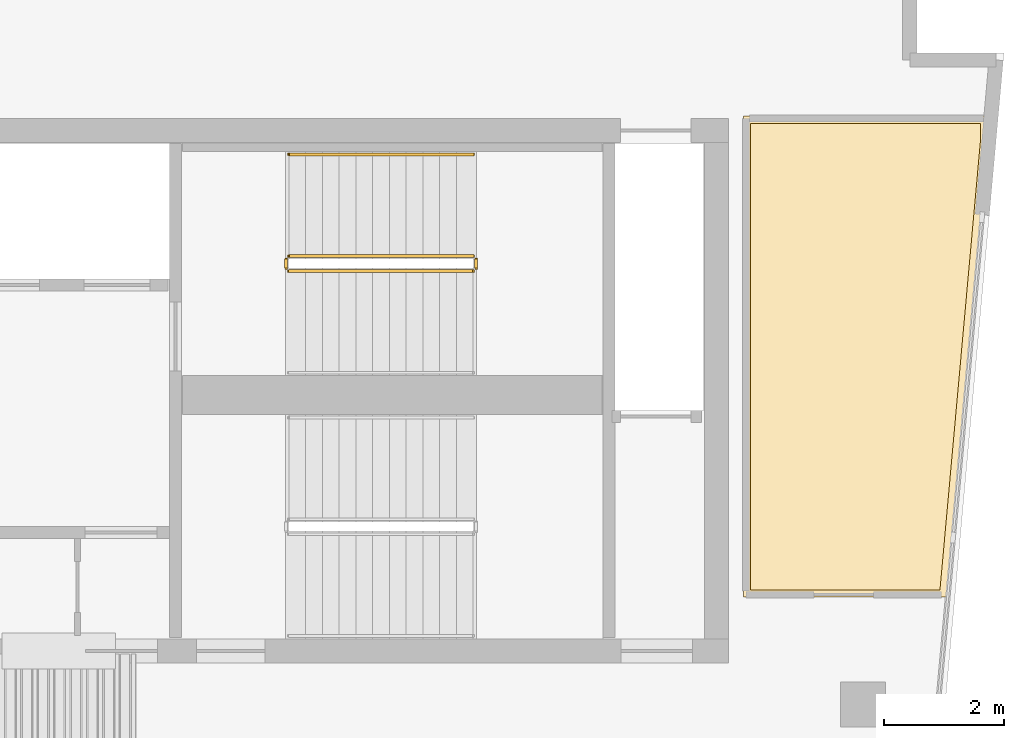
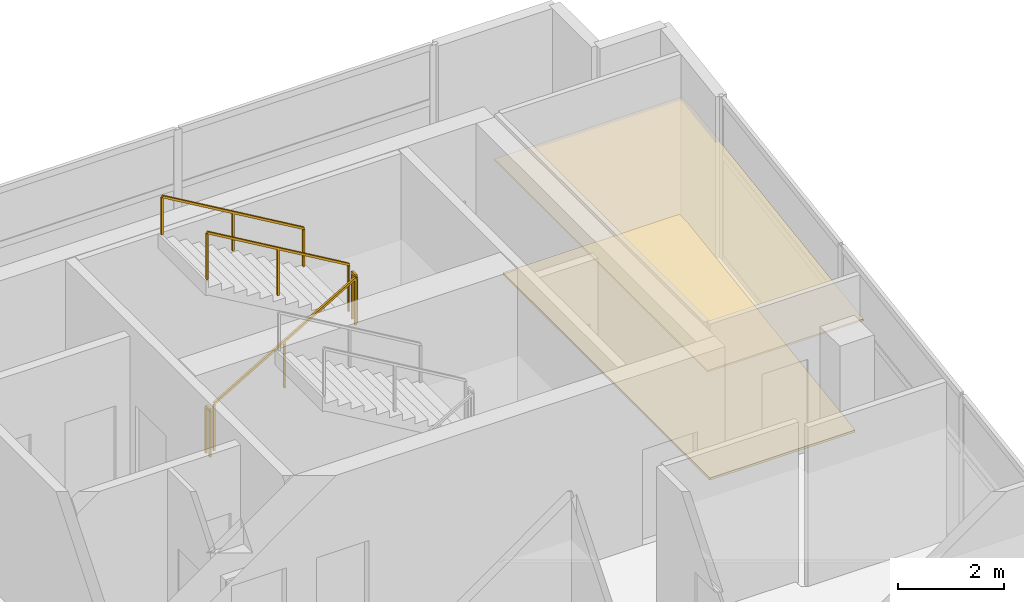
# One storey, part 7 of 7: 5 railings, 2 coverings.
"""IFC4 building model written with IfcOpenShell, lengths in metres."""

from ifc_helpers import new_model, si_unit, direction, frame, origin, origin_2d, place, context, subcontext, project, spatial, polyline, rectangle, outline, extrude, material, layer, layer_set, type_object, element, save


model = new_model("IFC4")

# Units and contexts
model_context = context("Model", 3, precision=1e-05, world=origin(), true_north=direction((0.0, 1.0)))
body_context = subcontext(model_context, "Body", "Model", "MODEL_VIEW")
ifc_project = project(units=[si_unit("LENGTHUNIT", "METRE"), si_unit("AREAUNIT", "SQUARE_METRE"), si_unit("VOLUMEUNIT", "CUBIC_METRE"), si_unit("PLANEANGLEUNIT", "RADIAN"), si_unit("MASSUNIT", "GRAM", prefix="KILO")], contexts=[model_context])

# Site, building, storey
site_placement = place(None, origin())
site = spatial("IfcSite", under=ifc_project, at=site_placement, CompositionType="ELEMENT")
building_placement = place(site_placement, origin())
building = spatial("IfcBuilding", under=site, at=building_placement, Name="Caeloran Harvest Quay", CompositionType="ELEMENT")
storey_placement = place(building_placement, frame((0.0, 0.0, 312.0)))
storey = spatial("IfcBuildingStorey", under=building, at=storey_placement, Name="L75", CompositionType="ELEMENT", Elevation=312.0)

# Coverings
ifc_material_1 = material(Name="Perforated Mineral-Fibre Acoustic Ceiling Tile", Category="ceiling")
ifc_layer_1 = layer(ifc_material_1, 0.0400390625, Name="Perforated Mineral-Fibre Acoustic Ceiling Tile")
ifc_layer_set_1 = layer_set([ifc_layer_1], Name="Perforated Mineral-Fibre Acoustic Ceiling Tile")
covering_type_1 = type_object("IfcCoveringType", Name="COV-CEILING-ACOUSTIC", PredefinedType="CEILING", material=ifc_layer_set_1)
covering_1_placement = place(storey_placement, frame((0.0, 0.0, 2.60009765625)))
element("IfcCovering", 1, at=covering_1_placement, inside=storey, type_object=covering_type_1, Name="L75 Bioinformatics and Crop Phenotyping Laboratory Acoustic Ceiling", PredefinedType="CEILING", context=body_context, shape_type="SweptSolid", body=[
    extrude(outline(polyline([(27.57861328125, 40.3876953125), (26.89453125, 32.800048828125), (23.5, 32.800048828125), (23.5, 40.840087890625), (27.57861328125, 40.840087890625), (27.57861328125, 40.3876953125)])), origin(), (0.0, 0.0, 1.0), 0.039794921875),
])
ifc_material_2 = material(Name="Calcium-Sulphate Raised Access Floor and Terrazzo Finish", Category="flooring")
ifc_layer_2 = layer(ifc_material_2, 0.050048828125, Name="Calcium-Sulphate Raised Access Floor and Terrazzo Finish")
ifc_layer_set_2 = layer_set([ifc_layer_2], Name="Calcium-Sulphate Raised Access Floor and Terrazzo Finish")
covering_type_2 = type_object("IfcCoveringType", Name="COV-FLOOR-RAISED", PredefinedType="FLOORING", material=ifc_layer_set_2)
covering_2_placement = place(storey_placement, origin())
element("IfcCovering", 2, at=covering_2_placement, inside=storey, type_object=covering_type_2, Name="L75 Bioinformatics and Crop Phenotyping Laboratory Raised Finish Flooring", PredefinedType="FLOORING", context=body_context, shape_type="SweptSolid", body=[
    extrude(outline(polyline([(27.458740234375, 40.39306640625), (26.784912109375, 32.919921875), (23.6201171875, 32.919921875), (23.6201171875, 40.719970703125), (27.458740234375, 40.719970703125), (27.458740234375, 40.39306640625)])), origin(), (0.0, 0.0, 1.0), 0.050048828125),
])

# Railings
ifc_material_3 = material(Name="Painted Steel Baluster and Top-Rail Stair Guard", Category="steel")
ifc_layer_3 = layer(ifc_material_3, 0.050048828125, Name="Painted Steel Baluster and Top-Rail Stair Guard")
ifc_layer_set_3 = layer_set([ifc_layer_3], Name="Painted Steel Baluster and Top-Rail Stair Guard")
railing_type_1 = type_object("IfcRailingType", Name="STAIR-GUARD-1100", PredefinedType="GUARDRAIL", material=ifc_layer_set_3)
railing_1_placement = place(storey_placement, frame((15.89990234375, 38.25, 0.16455078125)))
element("IfcRailing", 3, at=railing_1_placement, inside=storey, type_object=railing_type_1, Name="L75 ST-C1 stair guard 1", PredefinedType="GUARDRAIL", context=body_context, shape_type="SweptSolid", body=[
    extrude(rectangle(XDim=0.048095703125, YDim=0.048095703125, at=origin_2d()), frame((0.0, 0.0, 1.076171875), z_axis=(0.862088758681, 0.0, 0.506757310905), x_axis=(0.0, 1.0, 0.0)), (0.0, 0.0, 1.0), 3.57275390625),
    extrude(rectangle(XDim=0.0419921875, YDim=0.0419921875, at=origin_2d()), origin(), (0.0, 0.0, 1.0), 1.052001953125),
    extrude(rectangle(XDim=0.0419921875, YDim=0.0419921875, at=origin_2d()), frame((1.5400390625, 0.0, 0.9052734375)), (0.0, 0.0, 1.0), 1.052001953125),
    extrude(rectangle(XDim=0.0419921875, YDim=0.0419921875, at=origin_2d()), frame((3.080078125, 0.0, 1.810546875)), (0.0, 0.0, 1.0), 1.052001953125),
])
railing_2_placement = place(storey_placement, frame((19.030029296875, 38.300048828125, 1.97509765625)))
element("IfcRailing", 4, at=railing_2_placement, inside=storey, type_object=railing_type_1, Name="L75 ST-C1 stair guard 2", PredefinedType="GUARDRAIL", context=body_context, shape_type="SweptSolid", body=[
    extrude(rectangle(XDim=0.048095703125, YDim=0.048095703125, at=origin_2d()), frame((0.0, 0.0, 1.076171875), z_axis=(0.0, 1.0, 0.0), x_axis=(-1.0, 0.0, 0.0)), (0.0, 0.0, 1.0), 0.14990234375),
    extrude(rectangle(XDim=0.0419921875, YDim=0.0419921875, at=origin_2d()), origin(), (0.0, 0.0, 1.0), 1.052001953125),
    extrude(rectangle(XDim=0.0419921875, YDim=0.0419921875, at=origin_2d()), frame((0.0, 0.14990234375, 0.0)), (0.0, 0.0, 1.0), 1.052001953125),
])
railing_3_placement = place(storey_placement, frame((18.97998046875, 38.5, 2.1396484375)))
element("IfcRailing", 5, at=railing_3_placement, inside=storey, type_object=railing_type_1, Name="L75 ST-C1 stair guard 3", PredefinedType="GUARDRAIL", context=body_context, shape_type="SweptSolid", body=[
    extrude(rectangle(XDim=0.048095703125, YDim=0.048095703125, at=origin_2d()), frame((0.0, 0.0, 1.076171875), z_axis=(-0.862118610829, 0.0, 0.506706523406), x_axis=(0.0, -1.0, 0.0)), (0.0, 0.0, 1.0), 3.57275390625),
    extrude(rectangle(XDim=0.0419921875, YDim=0.0419921875, at=origin_2d()), origin(), (0.0, 0.0, 1.0), 1.052001953125),
    extrude(rectangle(XDim=0.0419921875, YDim=0.0419921875, at=origin_2d()), frame((-1.5400390625, 0.0, 0.9052734375)), (0.0, 0.0, 1.0), 1.052001953125),
    extrude(rectangle(XDim=0.0419921875, YDim=0.0419921875, at=origin_2d()), frame((-3.080078125, 0.0, 1.810302734375)), (0.0, 0.0, 1.0), 1.052001953125),
])
railing_4_placement = place(storey_placement, frame((15.85009765625, 38.300048828125, 0.0)))
element("IfcRailing", 6, at=railing_4_placement, inside=storey, type_object=railing_type_1, Name="L75 ST-C1 stair guard 4", PredefinedType="GUARDRAIL", context=body_context, shape_type="SweptSolid", body=[
    extrude(rectangle(XDim=0.048095703125, YDim=0.048095703125, at=origin_2d()), frame((0.0, 0.0, 1.076171875), z_axis=(0.0, 1.0, 0.0), x_axis=(-1.0, 0.0, 0.0)), (0.0, 0.0, 1.0), 0.14990234375),
    extrude(rectangle(XDim=0.0419921875, YDim=0.0419921875, at=origin_2d()), origin(), (0.0, 0.0, 1.0), 1.052001953125),
    extrude(rectangle(XDim=0.0419921875, YDim=0.0419921875, at=origin_2d()), frame((0.0, 0.14990234375, 0.0)), (0.0, 0.0, 1.0), 1.052001953125),
])
ifc_material_4 = material(Name="Brushed Stainless Steel Grade 304", Category="steel")
ifc_layer_4 = layer(ifc_material_4, 0.050048828125, Name="Brushed Stainless Steel Grade 304")
ifc_layer_set_4 = layer_set([ifc_layer_4], Name="Brushed Stainless Steel Grade 304")
railing_type_2 = type_object("IfcRailingType", Name="STAIR-HANDRAIL-900", PredefinedType="HANDRAIL", material=ifc_layer_set_4)
railing_5_placement = place(storey_placement, frame((18.97998046875, 40.199951171875, 2.1396484375)))
element("IfcRailing", 7, at=railing_5_placement, inside=storey, type_object=railing_type_2, Name="L75 ST-C1 stair handrail 2", PredefinedType="HANDRAIL", context=body_context, shape_type="SweptSolid", body=[
    extrude(rectangle(XDim=0.048095703125, YDim=0.048095703125, at=origin_2d()), frame((0.0, 0.0, 0.8759765625), z_axis=(-0.862118610829, 0.0, 0.506706523406), x_axis=(0.0, -1.0, 0.0)), (0.0, 0.0, 1.0), 3.57275390625),
    extrude(rectangle(XDim=0.0419921875, YDim=0.0419921875, at=origin_2d()), origin(), (0.0, 0.0, 1.0), 0.851806640625),
    extrude(rectangle(XDim=0.0419921875, YDim=0.0419921875, at=origin_2d()), frame((-1.5400390625, 0.0, 0.9052734375)), (0.0, 0.0, 1.0), 0.851806640625),
    extrude(rectangle(XDim=0.0419921875, YDim=0.0419921875, at=origin_2d()), frame((-3.080078125, 0.0, 1.810302734375)), (0.0, 0.0, 1.0), 0.851806640625),
])

save(model, "model.ifc")
